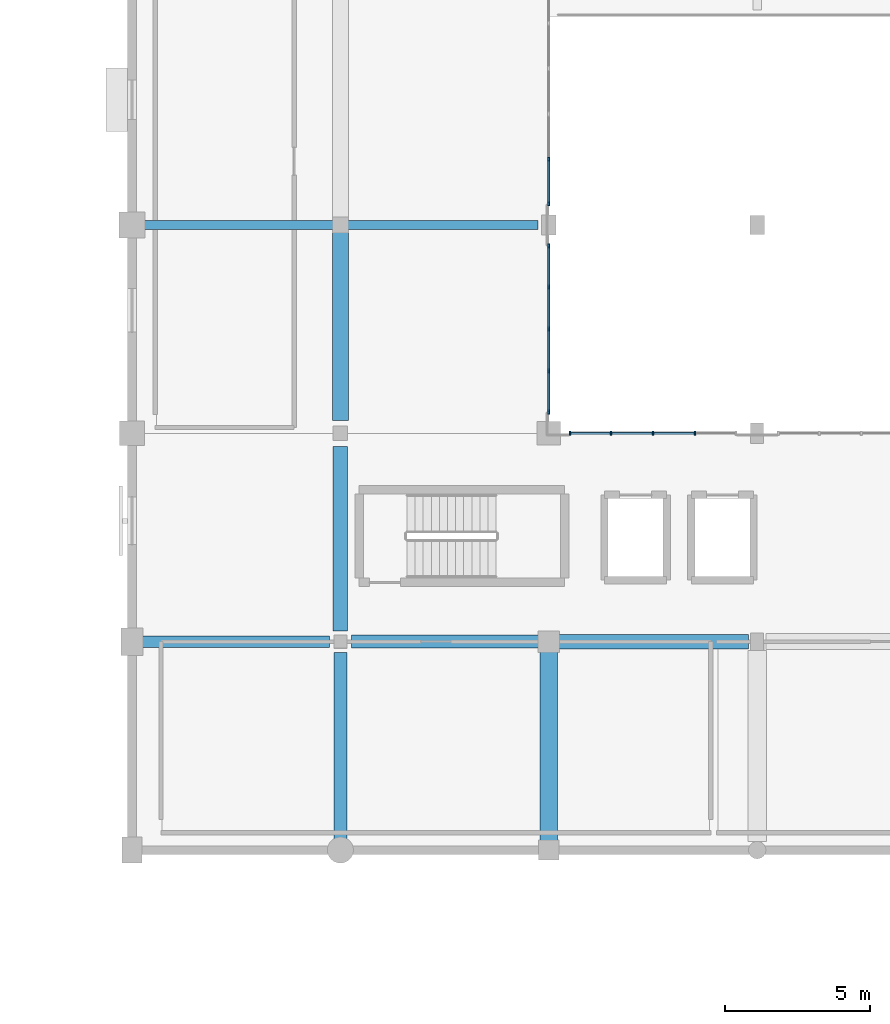
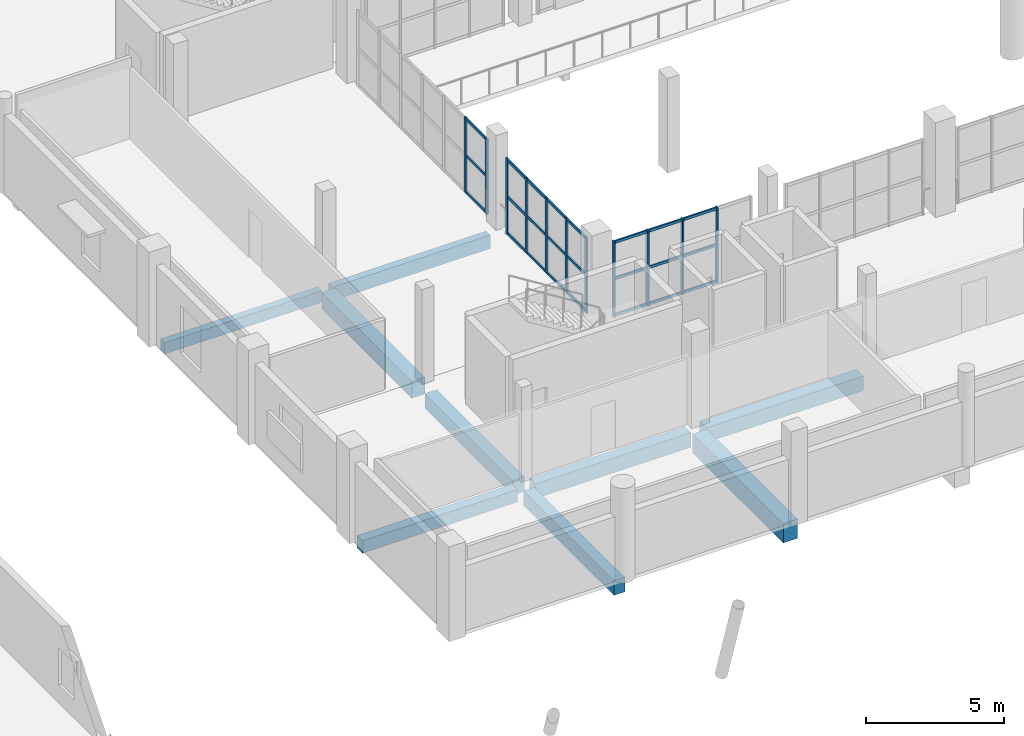
# One storey, part 20 of 92: 35 members, 9 beams, 3 elements without a shape of their own.
"""IFC4 building model written with IfcOpenShell, lengths in metres."""

from ifc_helpers import new_model, si_unit, direction, frame, origin, origin_2d, place, context, subcontext, project, spatial, rectangle, extrude, material, material_profile, profile_set, type_object, element, aggregate, save


model = new_model("IFC4")

# Units and contexts
model_context = context("Model", 3, precision=1e-05, world=origin(), true_north=direction((0.0, 1.0)))
body_context = subcontext(model_context, "Body", "Model", "MODEL_VIEW")
ifc_project = project(units=[si_unit("LENGTHUNIT", "METRE"), si_unit("AREAUNIT", "SQUARE_METRE"), si_unit("VOLUMEUNIT", "CUBIC_METRE"), si_unit("PLANEANGLEUNIT", "RADIAN"), si_unit("MASSUNIT", "GRAM", prefix="KILO")], contexts=[model_context])

# Site, building, storey
site_placement = place(None, origin())
site = spatial("IfcSite", under=ifc_project, at=site_placement, CompositionType="ELEMENT")
building_placement = place(site_placement, origin())
building = spatial("IfcBuilding", under=site, at=building_placement, Name="Solanera Park Tramway Depot", CompositionType="ELEMENT")
storey_placement = place(building_placement, frame((0.0, 0.0, 4.800048828125)))
storey = spatial("IfcBuildingStorey", under=building, at=storey_placement, Name="L01", CompositionType="ELEMENT", Elevation=4.800048828125)

# Curtain wall, members
ifc_material_1 = material(Name="Bronze-anodised thermally broken aluminium curtain wall", Category="aluminium")
curtain_wall_type = type_object("IfcCurtainWallType", Name="Courtyard Cloister Unitised Curtain Wall", PredefinedType="NOTDEFINED", material=ifc_material_1)
curtain_wall_1_placement = place(storey_placement, origin())
curtain_wall_1 = element("IfcCurtainWall", 1, at=curtain_wall_1_placement, inside=storey, type_object=curtain_wall_type, Name="L01 Courtyard Cloister Unitised Curtain Wall #088", PredefinedType="NOTDEFINED")
ifc_material_2 = material(Name="Bronze-anodised structural aluminium 6063-T6", Category="aluminium")
ifc_material_profile_1 = material_profile(ifc_material_2, rectangle(XDim=0.06494140625, YDim=0.14990234375, at=origin_2d()), Name="Curtain Wall Mullion 65x150")
ifc_profile_set_1 = profile_set([ifc_material_profile_1], Name="Bronze-anodised structural aluminium 6063-T6")
member_type_1 = type_object("IfcMemberType", Name="Curtain Wall Mullion 65x150", PredefinedType="MULLION", material=ifc_profile_set_1)
member_1_placement = place(storey_placement, frame((123.132568359375, 25.199951171875, 0.0), z_axis=(0.0, 0.0, 1.0), x_axis=(1.0, 0.0, 0.0)))
member_1 = element("IfcMember", 2, at=member_1_placement, type_object=member_type_1, Name="CW-L01-088 Mullion 1", PredefinedType="MULLION", context=body_context, shape_type="SweptSolid", body=[
    extrude(rectangle(XDim=0.06494140625, YDim=0.14990234375, at=origin_2d()), origin(), (0.0, 0.0, 1.0), 3.349853515625),
])
member_2_placement = place(storey_placement, frame((124.550048828125, 25.199951171875, 0.0), z_axis=(0.0, 0.0, 1.0), x_axis=(1.0, 0.0, 0.0)))
member_2 = element("IfcMember", 3, at=member_2_placement, type_object=member_type_1, Name="CW-L01-088 Mullion 2", PredefinedType="MULLION", context=body_context, shape_type="SweptSolid", body=[
    extrude(rectangle(XDim=0.06494140625, YDim=0.14990234375, at=origin_2d()), origin(), (0.0, 0.0, 1.0), 3.349853515625),
])
member_3_placement = place(storey_placement, frame((126.0, 25.199951171875, 0.0), z_axis=(0.0, 0.0, 1.0), x_axis=(1.0, 0.0, 0.0)))
member_3 = element("IfcMember", 4, at=member_3_placement, type_object=member_type_1, Name="CW-L01-088 Mullion 3", PredefinedType="MULLION", context=body_context, shape_type="SweptSolid", body=[
    extrude(rectangle(XDim=0.06494140625, YDim=0.14990234375, at=origin_2d()), origin(), (0.0, 0.0, 1.0), 3.349853515625),
])
member_4_placement = place(storey_placement, frame((127.449951171875, 25.199951171875, 0.0), z_axis=(0.0, 0.0, 1.0), x_axis=(1.0, 0.0, 0.0)))
member_4 = element("IfcMember", 5, at=member_4_placement, type_object=member_type_1, Name="CW-L01-088 Mullion 4", PredefinedType="MULLION", context=body_context, shape_type="SweptSolid", body=[
    extrude(rectangle(XDim=0.06494140625, YDim=0.14990234375, at=origin_2d()), origin(), (0.0, 0.0, 1.0), 3.349853515625),
])

curtain_wall_2_placement = place(storey_placement, origin())
curtain_wall_2 = element("IfcCurtainWall", 6, at=curtain_wall_2_placement, inside=storey, type_object=curtain_wall_type, Name="L01 Courtyard Cloister Unitised Curtain Wall #100", PredefinedType="NOTDEFINED")
member_5_placement = place(storey_placement, frame((122.39990234375, 25.9326171875, 0.0), z_axis=(0.0, 0.0, 1.0), x_axis=(1.0, 0.0, 0.0)))
member_5 = element("IfcMember", 7, at=member_5_placement, type_object=member_type_1, Name="CW-L01-100 Mullion 1", PredefinedType="MULLION", context=body_context, shape_type="SweptSolid", body=[
    extrude(rectangle(XDim=0.06494140625, YDim=0.14990234375, at=origin_2d()), origin(), (0.0, 0.0, 1.0), 3.349853515625),
])
member_6_placement = place(storey_placement, frame((122.39990234375, 27.35009765625, 0.0), z_axis=(0.0, 0.0, 1.0), x_axis=(1.0, 0.0, 0.0)))
member_6 = element("IfcMember", 8, at=member_6_placement, type_object=member_type_1, Name="CW-L01-100 Mullion 2", PredefinedType="MULLION", context=body_context, shape_type="SweptSolid", body=[
    extrude(rectangle(XDim=0.06494140625, YDim=0.14990234375, at=origin_2d()), origin(), (0.0, 0.0, 1.0), 3.349853515625),
])
member_7_placement = place(storey_placement, frame((122.39990234375, 28.800048828125, 0.0), z_axis=(0.0, 0.0, 1.0), x_axis=(1.0, 0.0, 0.0)))
member_7 = element("IfcMember", 9, at=member_7_placement, type_object=member_type_1, Name="CW-L01-100 Mullion 3", PredefinedType="MULLION", context=body_context, shape_type="SweptSolid", body=[
    extrude(rectangle(XDim=0.06494140625, YDim=0.14990234375, at=origin_2d()), origin(), (0.0, 0.0, 1.0), 3.349853515625),
])
member_8_placement = place(storey_placement, frame((122.39990234375, 30.25, 0.0), z_axis=(0.0, 0.0, 1.0), x_axis=(1.0, 0.0, 0.0)))
member_8 = element("IfcMember", 10, at=member_8_placement, type_object=member_type_1, Name="CW-L01-100 Mullion 4", PredefinedType="MULLION", context=body_context, shape_type="SweptSolid", body=[
    extrude(rectangle(XDim=0.06494140625, YDim=0.14990234375, at=origin_2d()), origin(), (0.0, 0.0, 1.0), 3.349853515625),
])
member_9_placement = place(storey_placement, frame((122.39990234375, 31.66748046875, 0.0), z_axis=(0.0, 0.0, 1.0), x_axis=(1.0, 0.0, 0.0)))
member_9 = element("IfcMember", 11, at=member_9_placement, type_object=member_type_1, Name="CW-L01-100 Mullion 5", PredefinedType="MULLION", context=body_context, shape_type="SweptSolid", body=[
    extrude(rectangle(XDim=0.06494140625, YDim=0.14990234375, at=origin_2d()), origin(), (0.0, 0.0, 1.0), 3.349853515625),
])

curtain_wall_3_placement = place(storey_placement, origin())
curtain_wall_3 = element("IfcCurtainWall", 12, at=curtain_wall_3_placement, inside=storey, type_object=curtain_wall_type, Name="L01 Courtyard Cloister Unitised Curtain Wall #102", PredefinedType="NOTDEFINED")
member_10_placement = place(storey_placement, frame((122.39990234375, 33.132568359375, 0.0), z_axis=(0.0, 0.0, 1.0), x_axis=(1.0, 0.0, 0.0)))
member_10 = element("IfcMember", 13, at=member_10_placement, type_object=member_type_1, Name="CW-L01-102 Mullion 1", PredefinedType="MULLION", context=body_context, shape_type="SweptSolid", body=[
    extrude(rectangle(XDim=0.06494140625, YDim=0.14990234375, at=origin_2d()), origin(), (0.0, 0.0, 1.0), 3.349853515625),
])
member_11_placement = place(storey_placement, frame((122.39990234375, 34.666748046875, 0.0), z_axis=(0.0, 0.0, 1.0), x_axis=(1.0, 0.0, 0.0)))
member_11 = element("IfcMember", 14, at=member_11_placement, type_object=member_type_1, Name="CW-L01-102 Mullion 2", PredefinedType="MULLION", context=body_context, shape_type="SweptSolid", body=[
    extrude(rectangle(XDim=0.06494140625, YDim=0.14990234375, at=origin_2d()), origin(), (0.0, 0.0, 1.0), 3.349853515625),
])

# Member
ifc_material_3 = material(Name="Bronze-anodised structural aluminium 6063-T6", Category="aluminium")
ifc_material_profile_2 = material_profile(ifc_material_3, rectangle(XDim=0.06494140625, YDim=0.1201171875, at=origin_2d()), Name="Curtain Wall Transom 65x120")
ifc_profile_set_2 = profile_set([ifc_material_profile_2], Name="Bronze-anodised structural aluminium 6063-T6")
member_type_2 = type_object("IfcMemberType", Name="Curtain Wall Transom 65x120", PredefinedType="USERDEFINED", material=ifc_profile_set_2)
member_12_placement = place(storey_placement, frame((123.160400390625, 25.199951171875, 0.06005859375), z_axis=(1.0, 0.0, 0.0), x_axis=(0.0, 1.0, 0.0)))
member_12 = element("IfcMember", 15, at=member_12_placement, type_object=member_type_2, Name="CW-L01-088 Transom R1.C1", ObjectType="TRANSOM", PredefinedType="USERDEFINED", context=body_context, shape_type="SweptSolid", body=[
    extrude(rectangle(XDim=0.06494140625, YDim=0.1201171875, at=origin_2d()), origin(), (0.0, 0.0, 1.0), 1.361572265625),
])

member_13_placement = place(storey_placement, frame((124.577880859375, 25.199951171875, 0.06005859375), z_axis=(1.0, 0.0, 0.0), x_axis=(0.0, 1.0, 0.0)))
member_13 = element("IfcMember", 16, at=member_13_placement, type_object=member_type_2, Name="CW-L01-088 Transom R1.C2", ObjectType="TRANSOM", PredefinedType="USERDEFINED", context=body_context, shape_type="SweptSolid", body=[
    extrude(rectangle(XDim=0.06494140625, YDim=0.1201171875, at=origin_2d()), origin(), (0.0, 0.0, 1.0), 1.39404296875),
])

member_14_placement = place(storey_placement, frame((126.028076171875, 25.199951171875, 0.06005859375), z_axis=(1.0, 0.0, 0.0), x_axis=(0.0, 1.0, 0.0)))
member_14 = element("IfcMember", 17, at=member_14_placement, type_object=member_type_2, Name="CW-L01-088 Transom R1.C3", ObjectType="TRANSOM", PredefinedType="USERDEFINED", context=body_context, shape_type="SweptSolid", body=[
    extrude(rectangle(XDim=0.06494140625, YDim=0.1201171875, at=origin_2d()), origin(), (0.0, 0.0, 1.0), 1.39404296875),
])

member_15_placement = place(storey_placement, frame((123.160400390625, 25.199951171875, 1.675048828125), z_axis=(1.0, 0.0, 0.0), x_axis=(0.0, 1.0, 0.0)))
member_15 = element("IfcMember", 18, at=member_15_placement, type_object=member_type_2, Name="CW-L01-088 Transom R2.C1", ObjectType="TRANSOM", PredefinedType="USERDEFINED", context=body_context, shape_type="SweptSolid", body=[
    extrude(rectangle(XDim=0.06494140625, YDim=0.1201171875, at=origin_2d()), origin(), (0.0, 0.0, 1.0), 1.361572265625),
])

member_16_placement = place(storey_placement, frame((124.577880859375, 25.199951171875, 1.675048828125), z_axis=(1.0, 0.0, 0.0), x_axis=(0.0, 1.0, 0.0)))
member_16 = element("IfcMember", 19, at=member_16_placement, type_object=member_type_2, Name="CW-L01-088 Transom R2.C2", ObjectType="TRANSOM", PredefinedType="USERDEFINED", context=body_context, shape_type="SweptSolid", body=[
    extrude(rectangle(XDim=0.06494140625, YDim=0.1201171875, at=origin_2d()), origin(), (0.0, 0.0, 1.0), 1.39404296875),
])

member_17_placement = place(storey_placement, frame((126.028076171875, 25.199951171875, 1.675048828125), z_axis=(1.0, 0.0, 0.0), x_axis=(0.0, 1.0, 0.0)))
member_17 = element("IfcMember", 20, at=member_17_placement, type_object=member_type_2, Name="CW-L01-088 Transom R2.C3", ObjectType="TRANSOM", PredefinedType="USERDEFINED", context=body_context, shape_type="SweptSolid", body=[
    extrude(rectangle(XDim=0.06494140625, YDim=0.1201171875, at=origin_2d()), origin(), (0.0, 0.0, 1.0), 1.39404296875),
])

member_18_placement = place(storey_placement, frame((123.160400390625, 25.199951171875, 3.2900390625), z_axis=(1.0, 0.0, 0.0), x_axis=(0.0, 1.0, 0.0)))
member_18 = element("IfcMember", 21, at=member_18_placement, type_object=member_type_2, Name="CW-L01-088 Transom R3.C1", ObjectType="TRANSOM", PredefinedType="USERDEFINED", context=body_context, shape_type="SweptSolid", body=[
    extrude(rectangle(XDim=0.06494140625, YDim=0.1201171875, at=origin_2d()), origin(), (0.0, 0.0, 1.0), 1.361572265625),
])

member_19_placement = place(storey_placement, frame((124.577880859375, 25.199951171875, 3.2900390625), z_axis=(1.0, 0.0, 0.0), x_axis=(0.0, 1.0, 0.0)))
member_19 = element("IfcMember", 22, at=member_19_placement, type_object=member_type_2, Name="CW-L01-088 Transom R3.C2", ObjectType="TRANSOM", PredefinedType="USERDEFINED", context=body_context, shape_type="SweptSolid", body=[
    extrude(rectangle(XDim=0.06494140625, YDim=0.1201171875, at=origin_2d()), origin(), (0.0, 0.0, 1.0), 1.39404296875),
])

member_20_placement = place(storey_placement, frame((126.028076171875, 25.199951171875, 3.2900390625), z_axis=(1.0, 0.0, 0.0), x_axis=(0.0, 1.0, 0.0)))
member_20 = element("IfcMember", 23, at=member_20_placement, type_object=member_type_2, Name="CW-L01-088 Transom R3.C3", ObjectType="TRANSOM", PredefinedType="USERDEFINED", context=body_context, shape_type="SweptSolid", body=[
    extrude(rectangle(XDim=0.06494140625, YDim=0.1201171875, at=origin_2d()), origin(), (0.0, 0.0, 1.0), 1.39404296875),
])

aggregate(curtain_wall_1, [member_1, member_2, member_3, member_4, member_12, member_13, member_14, member_15, member_16, member_17, member_18, member_19, member_20])

member_21_placement = place(storey_placement, frame((122.39990234375, 25.96044921875, 0.06005859375), z_axis=(0.0, 1.0, 0.0), x_axis=(-1.0, 0.0, 0.0)))
member_21 = element("IfcMember", 24, at=member_21_placement, type_object=member_type_2, Name="CW-L01-100 Transom R1.C1", ObjectType="TRANSOM", PredefinedType="USERDEFINED", context=body_context, shape_type="SweptSolid", body=[
    extrude(rectangle(XDim=0.06494140625, YDim=0.1201171875, at=origin_2d()), origin(), (0.0, 0.0, 1.0), 1.361572265625),
])

member_22_placement = place(storey_placement, frame((122.39990234375, 27.3779296875, 0.06005859375), z_axis=(0.0, 1.0, 0.0), x_axis=(-1.0, 0.0, 0.0)))
member_22 = element("IfcMember", 25, at=member_22_placement, type_object=member_type_2, Name="CW-L01-100 Transom R1.C2", ObjectType="TRANSOM", PredefinedType="USERDEFINED", context=body_context, shape_type="SweptSolid", body=[
    extrude(rectangle(XDim=0.06494140625, YDim=0.1201171875, at=origin_2d()), origin(), (0.0, 0.0, 1.0), 1.39404296875),
])

member_23_placement = place(storey_placement, frame((122.39990234375, 28.827880859375, 0.06005859375), z_axis=(0.0, 1.0, 0.0), x_axis=(-1.0, 0.0, 0.0)))
member_23 = element("IfcMember", 26, at=member_23_placement, type_object=member_type_2, Name="CW-L01-100 Transom R1.C3", ObjectType="TRANSOM", PredefinedType="USERDEFINED", context=body_context, shape_type="SweptSolid", body=[
    extrude(rectangle(XDim=0.06494140625, YDim=0.1201171875, at=origin_2d()), origin(), (0.0, 0.0, 1.0), 1.39404296875),
])

member_24_placement = place(storey_placement, frame((122.39990234375, 30.278076171875, 0.06005859375), z_axis=(0.0, 1.0, 0.0), x_axis=(-1.0, 0.0, 0.0)))
member_24 = element("IfcMember", 27, at=member_24_placement, type_object=member_type_2, Name="CW-L01-100 Transom R1.C4", ObjectType="TRANSOM", PredefinedType="USERDEFINED", context=body_context, shape_type="SweptSolid", body=[
    extrude(rectangle(XDim=0.06494140625, YDim=0.1201171875, at=origin_2d()), origin(), (0.0, 0.0, 1.0), 1.361328125),
])

member_25_placement = place(storey_placement, frame((122.39990234375, 25.96044921875, 1.675048828125), z_axis=(0.0, 1.0, 0.0), x_axis=(-1.0, 0.0, 0.0)))
member_25 = element("IfcMember", 28, at=member_25_placement, type_object=member_type_2, Name="CW-L01-100 Transom R2.C1", ObjectType="TRANSOM", PredefinedType="USERDEFINED", context=body_context, shape_type="SweptSolid", body=[
    extrude(rectangle(XDim=0.06494140625, YDim=0.1201171875, at=origin_2d()), origin(), (0.0, 0.0, 1.0), 1.361572265625),
])

member_26_placement = place(storey_placement, frame((122.39990234375, 27.3779296875, 1.675048828125), z_axis=(0.0, 1.0, 0.0), x_axis=(-1.0, 0.0, 0.0)))
member_26 = element("IfcMember", 29, at=member_26_placement, type_object=member_type_2, Name="CW-L01-100 Transom R2.C2", ObjectType="TRANSOM", PredefinedType="USERDEFINED", context=body_context, shape_type="SweptSolid", body=[
    extrude(rectangle(XDim=0.06494140625, YDim=0.1201171875, at=origin_2d()), origin(), (0.0, 0.0, 1.0), 1.39404296875),
])

member_27_placement = place(storey_placement, frame((122.39990234375, 28.827880859375, 1.675048828125), z_axis=(0.0, 1.0, 0.0), x_axis=(-1.0, 0.0, 0.0)))
member_27 = element("IfcMember", 30, at=member_27_placement, type_object=member_type_2, Name="CW-L01-100 Transom R2.C3", ObjectType="TRANSOM", PredefinedType="USERDEFINED", context=body_context, shape_type="SweptSolid", body=[
    extrude(rectangle(XDim=0.06494140625, YDim=0.1201171875, at=origin_2d()), origin(), (0.0, 0.0, 1.0), 1.39404296875),
])

member_28_placement = place(storey_placement, frame((122.39990234375, 30.278076171875, 1.675048828125), z_axis=(0.0, 1.0, 0.0), x_axis=(-1.0, 0.0, 0.0)))
member_28 = element("IfcMember", 31, at=member_28_placement, type_object=member_type_2, Name="CW-L01-100 Transom R2.C4", ObjectType="TRANSOM", PredefinedType="USERDEFINED", context=body_context, shape_type="SweptSolid", body=[
    extrude(rectangle(XDim=0.06494140625, YDim=0.1201171875, at=origin_2d()), origin(), (0.0, 0.0, 1.0), 1.361328125),
])

member_29_placement = place(storey_placement, frame((122.39990234375, 25.96044921875, 3.2900390625), z_axis=(0.0, 1.0, 0.0), x_axis=(-1.0, 0.0, 0.0)))
member_29 = element("IfcMember", 32, at=member_29_placement, type_object=member_type_2, Name="CW-L01-100 Transom R3.C1", ObjectType="TRANSOM", PredefinedType="USERDEFINED", context=body_context, shape_type="SweptSolid", body=[
    extrude(rectangle(XDim=0.06494140625, YDim=0.1201171875, at=origin_2d()), origin(), (0.0, 0.0, 1.0), 1.361572265625),
])

member_30_placement = place(storey_placement, frame((122.39990234375, 27.3779296875, 3.2900390625), z_axis=(0.0, 1.0, 0.0), x_axis=(-1.0, 0.0, 0.0)))
member_30 = element("IfcMember", 33, at=member_30_placement, type_object=member_type_2, Name="CW-L01-100 Transom R3.C2", ObjectType="TRANSOM", PredefinedType="USERDEFINED", context=body_context, shape_type="SweptSolid", body=[
    extrude(rectangle(XDim=0.06494140625, YDim=0.1201171875, at=origin_2d()), origin(), (0.0, 0.0, 1.0), 1.39404296875),
])

member_31_placement = place(storey_placement, frame((122.39990234375, 28.827880859375, 3.2900390625), z_axis=(0.0, 1.0, 0.0), x_axis=(-1.0, 0.0, 0.0)))
member_31 = element("IfcMember", 34, at=member_31_placement, type_object=member_type_2, Name="CW-L01-100 Transom R3.C3", ObjectType="TRANSOM", PredefinedType="USERDEFINED", context=body_context, shape_type="SweptSolid", body=[
    extrude(rectangle(XDim=0.06494140625, YDim=0.1201171875, at=origin_2d()), origin(), (0.0, 0.0, 1.0), 1.39404296875),
])

member_32_placement = place(storey_placement, frame((122.39990234375, 30.278076171875, 3.2900390625), z_axis=(0.0, 1.0, 0.0), x_axis=(-1.0, 0.0, 0.0)))
member_32 = element("IfcMember", 35, at=member_32_placement, type_object=member_type_2, Name="CW-L01-100 Transom R3.C4", ObjectType="TRANSOM", PredefinedType="USERDEFINED", context=body_context, shape_type="SweptSolid", body=[
    extrude(rectangle(XDim=0.06494140625, YDim=0.1201171875, at=origin_2d()), origin(), (0.0, 0.0, 1.0), 1.361328125),
])

aggregate(curtain_wall_2, [member_5, member_6, member_7, member_8, member_9, member_21, member_22, member_23, member_24, member_25, member_26, member_27, member_28, member_29, member_30, member_31, member_32])

member_33_placement = place(storey_placement, frame((122.39990234375, 33.160400390625, 0.06005859375), z_axis=(0.0, 1.0, 0.0), x_axis=(-1.0, 0.0, 0.0)))
member_33 = element("IfcMember", 36, at=member_33_placement, type_object=member_type_2, Name="CW-L01-102 Transom R1.C1", ObjectType="TRANSOM", PredefinedType="USERDEFINED", context=body_context, shape_type="SweptSolid", body=[
    extrude(rectangle(XDim=0.06494140625, YDim=0.1201171875, at=origin_2d()), origin(), (0.0, 0.0, 1.0), 1.478271484375),
])

member_34_placement = place(storey_placement, frame((122.39990234375, 33.160400390625, 1.675048828125), z_axis=(0.0, 1.0, 0.0), x_axis=(-1.0, 0.0, 0.0)))
member_34 = element("IfcMember", 37, at=member_34_placement, type_object=member_type_2, Name="CW-L01-102 Transom R2.C1", ObjectType="TRANSOM", PredefinedType="USERDEFINED", context=body_context, shape_type="SweptSolid", body=[
    extrude(rectangle(XDim=0.06494140625, YDim=0.1201171875, at=origin_2d()), origin(), (0.0, 0.0, 1.0), 1.478271484375),
])

member_35_placement = place(storey_placement, frame((122.39990234375, 33.160400390625, 3.2900390625), z_axis=(0.0, 1.0, 0.0), x_axis=(-1.0, 0.0, 0.0)))
member_35 = element("IfcMember", 38, at=member_35_placement, type_object=member_type_2, Name="CW-L01-102 Transom R3.C1", ObjectType="TRANSOM", PredefinedType="USERDEFINED", context=body_context, shape_type="SweptSolid", body=[
    extrude(rectangle(XDim=0.06494140625, YDim=0.1201171875, at=origin_2d()), origin(), (0.0, 0.0, 1.0), 1.478271484375),
])

aggregate(curtain_wall_3, [member_10, member_11, member_33, member_34, member_35])

# Beams
ifc_material_4 = material(Name="Concrete N40 (C40/50)", Category="concrete")
ifc_material_profile_3 = material_profile(ifc_material_4, rectangle(XDim=0.300048828125, YDim=0.5, at=origin_2d()), Name="RCB 300x500")
ifc_profile_set_3 = profile_set([ifc_material_profile_3], Name="Concrete N40 (C40/50)")
beam_type_1 = type_object("IfcBeamType", Name="RC Floor Beam RCB 300x500", PredefinedType="BEAM", material=ifc_profile_set_3)
beam_1_placement = place(storey_placement, frame((108.375, 32.39990234375, -0.529052734375), z_axis=(1.0, 0.0, 0.0), x_axis=(0.0, 1.0, 0.0)))
element("IfcBeam", 39, at=beam_1_placement, inside=storey, type_object=beam_type_1, Name="L01 Primary X-Girder RCB 300x500 #0020", PredefinedType="BEAM", context=body_context, shape_type="SweptSolid", body=[
    extrude(rectangle(XDim=0.300048828125, YDim=0.5, at=origin_2d()), origin(), (0.0, 0.0, 1.0), 6.60009765625),
])
ifc_material_5 = material(Name="Concrete N40 (C40/50)", Category="concrete")
ifc_material_profile_4 = material_profile(ifc_material_5, rectangle(XDim=0.300048828125, YDim=0.60009765625, at=origin_2d()), Name="RCB 300x600")
ifc_profile_set_4 = profile_set([ifc_material_profile_4], Name="Concrete N40 (C40/50)")
beam_type_2 = type_object("IfcBeamType", Name="RC Floor Beam RCB 300x600", PredefinedType="BEAM", material=ifc_profile_set_4)
beam_2_placement = place(storey_placement, frame((115.425048828125, 32.39990234375, -0.5791015625), z_axis=(1.0, 0.0, 0.0), x_axis=(0.0, 1.0, 0.0)))
element("IfcBeam", 40, at=beam_2_placement, inside=storey, type_object=beam_type_2, Name="L01 Primary X-Girder RCB 300x600 #0021", PredefinedType="BEAM", context=body_context, shape_type="SweptSolid", body=[
    extrude(rectangle(XDim=0.300048828125, YDim=0.60009765625, at=origin_2d()), origin(), (0.0, 0.0, 1.0), 6.599853515625),
])
ifc_material_6 = material(Name="Concrete N40 (C40/50)", Category="concrete")
ifc_material_profile_5 = material_profile(ifc_material_6, rectangle(XDim=0.39990234375, YDim=0.550048828125, at=origin_2d()), Name="RCB 400x550")
ifc_profile_set_5 = profile_set([ifc_material_profile_5], Name="Concrete N40 (C40/50)")
beam_type_3 = type_object("IfcBeamType", Name="RC Floor Beam RCB 400x550", PredefinedType="BEAM", material=ifc_profile_set_5)
beam_3_placement = place(storey_placement, frame((108.324951171875, 18.0, -0.553955078125), z_axis=(1.0, 0.0, 0.0), x_axis=(0.0, 1.0, 0.0)))
element("IfcBeam", 41, at=beam_3_placement, inside=storey, type_object=beam_type_3, Name="L01 Primary X-Girder RCB 400x550 #0001", PredefinedType="BEAM", context=body_context, shape_type="SweptSolid", body=[
    extrude(rectangle(XDim=0.39990234375, YDim=0.550048828125, at=origin_2d()), origin(), (0.0, 0.0, 1.0), 6.5),
])
ifc_material_7 = material(Name="Concrete N40 (C40/50)", Category="concrete")
ifc_material_profile_6 = material_profile(ifc_material_7, rectangle(XDim=0.449951171875, YDim=0.64990234375, at=origin_2d()), Name="RCB 450x650")
ifc_profile_set_6 = profile_set([ifc_material_profile_6], Name="Concrete N40 (C40/50)")
beam_type_4 = type_object("IfcBeamType", Name="RC Floor Beam RCB 450x650", PredefinedType="BEAM", material=ifc_profile_set_6)
beam_4_placement = place(storey_placement, frame((115.574951171875, 18.0, -0.60400390625), z_axis=(1.0, 0.0, 0.0), x_axis=(0.0, 1.0, 0.0)))
element("IfcBeam", 42, at=beam_4_placement, inside=storey, type_object=beam_type_4, Name="L01 Primary X-Girder RCB 450x650 #0002", PredefinedType="BEAM", context=body_context, shape_type="SweptSolid", body=[
    extrude(rectangle(XDim=0.449951171875, YDim=0.64990234375, at=origin_2d()), origin(), (0.0, 0.0, 1.0), 6.5),
])
beam_5_placement = place(storey_placement, frame((115.199951171875, 11.050048828125, -0.60400390625), z_axis=(0.0, 1.0, 0.0), x_axis=(-1.0, 0.0, 0.0)))
element("IfcBeam", 43, at=beam_5_placement, inside=storey, type_object=beam_type_4, Name="L01 Primary Y-Girder RCB 450x650 #0050", PredefinedType="BEAM", context=body_context, shape_type="SweptSolid", body=[
    extrude(rectangle(XDim=0.449951171875, YDim=0.64990234375, at=origin_2d()), origin(), (0.0, 0.0, 1.0), 6.574951171875),
])
ifc_material_8 = material(Name="Concrete N40 (C40/50)", Category="concrete")
ifc_material_profile_7 = material_profile(ifc_material_8, rectangle(XDim=0.5, YDim=0.64990234375, at=origin_2d()), Name="RCB 500x650")
ifc_profile_set_7 = profile_set([ifc_material_profile_7], Name="Concrete N40 (C40/50)")
beam_type_5 = type_object("IfcBeamType", Name="RC Floor Beam RCB 500x650", PredefinedType="BEAM", material=ifc_profile_set_7)
beam_6_placement = place(storey_placement, frame((122.72509765625, 18.0, -0.60400390625), z_axis=(1.0, 0.0, 0.0), x_axis=(0.0, 1.0, 0.0)))
element("IfcBeam", 44, at=beam_6_placement, inside=storey, type_object=beam_type_5, Name="L01 Primary X-Girder RCB 500x650 #0003", PredefinedType="BEAM", context=body_context, shape_type="SweptSolid", body=[
    extrude(rectangle(XDim=0.5, YDim=0.64990234375, at=origin_2d()), origin(), (0.0, 0.0, 1.0), 6.574951171875),
])
beam_7_placement = place(storey_placement, frame((115.199951171875, 18.375, -0.60400390625), z_axis=(0.0, 1.0, 0.0), x_axis=(-1.0, 0.0, 0.0)))
element("IfcBeam", 45, at=beam_7_placement, inside=storey, type_object=beam_type_5, Name="L01 Primary Y-Girder RCB 500x650 #0051", PredefinedType="BEAM", context=body_context, shape_type="SweptSolid", body=[
    extrude(rectangle(XDim=0.5, YDim=0.64990234375, at=origin_2d()), origin(), (0.0, 0.0, 1.0), 6.375),
])
ifc_material_9 = material(Name="Concrete N40 (C40/50)", Category="concrete")
ifc_material_profile_8 = material_profile(ifc_material_9, rectangle(XDim=0.550048828125, YDim=0.75, at=origin_2d()), Name="RCB 550x750")
ifc_profile_set_8 = profile_set([ifc_material_profile_8], Name="Concrete N40 (C40/50)")
beam_type_6 = type_object("IfcBeamType", Name="RC Floor Beam RCB 550x750", PredefinedType="BEAM", material=ifc_profile_set_8)
beam_8_placement = place(storey_placement, frame((115.199951171875, 25.64990234375, -0.654052734375), z_axis=(0.0, 1.0, 0.0), x_axis=(-1.0, 0.0, 0.0)))
element("IfcBeam", 46, at=beam_8_placement, inside=storey, type_object=beam_type_6, Name="L01 Primary Y-Girder RCB 550x750 #0052", PredefinedType="BEAM", context=body_context, shape_type="SweptSolid", body=[
    extrude(rectangle(XDim=0.550048828125, YDim=0.75, at=origin_2d()), origin(), (0.0, 0.0, 1.0), 6.525146484375),
])
ifc_material_10 = material(Name="Concrete N40 (C40/50)", Category="concrete")
ifc_material_profile_9 = material_profile(ifc_material_10, rectangle(XDim=0.60009765625, YDim=0.85009765625, at=origin_2d()), Name="RCB 600x850")
ifc_profile_set_9 = profile_set([ifc_material_profile_9], Name="Concrete N40 (C40/50)")
beam_type_7 = type_object("IfcBeamType", Name="RC Floor Beam RCB 600x850", PredefinedType="BEAM", material=ifc_profile_set_9)
beam_9_placement = place(storey_placement, frame((122.39990234375, 11.10009765625, -0.7041015625), z_axis=(0.0, 1.0, 0.0), x_axis=(-1.0, 0.0, 0.0)))
element("IfcBeam", 47, at=beam_9_placement, inside=storey, type_object=beam_type_7, Name="L01 Primary Y-Girder RCB 600x850 #0054", PredefinedType="BEAM", context=body_context, shape_type="SweptSolid", body=[
    extrude(rectangle(XDim=0.60009765625, YDim=0.85009765625, at=origin_2d()), origin(), (0.0, 0.0, 1.0), 6.574951171875),
])

save(model, "model.ifc")
